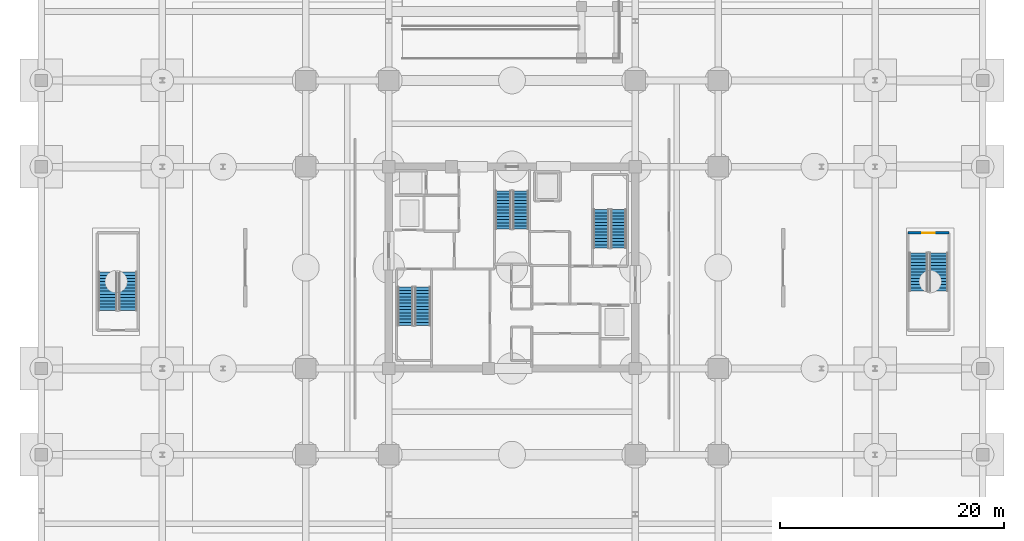
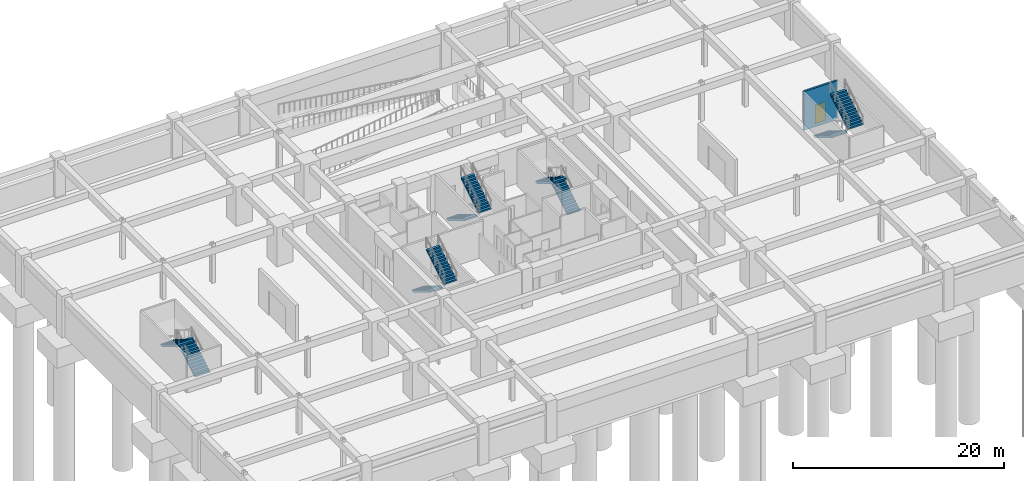
# One storey, part 12 of 17: 10 stair flights, 1 door, 1 wall, 1 opening, 5 elements without a shape of their own.
"""IFC4 building model written with IfcOpenShell, lengths in metres."""

from ifc_helpers import new_model, si_unit, direction, frame, frame_2d, origin, place, context, subcontext, project, spatial, polyline, rectangle, outline, extrude, material, layer, layer_set, type_object, element, fill, aggregate, save


model = new_model("IFC4")

# Units and contexts
model_context = context("Model", 3, precision=1e-05, world=origin(), true_north=direction((0.0, 1.0)))
body_context = subcontext(model_context, "Body", "Model", "MODEL_VIEW")
ifc_project = project(units=[si_unit("LENGTHUNIT", "METRE"), si_unit("AREAUNIT", "SQUARE_METRE"), si_unit("VOLUMEUNIT", "CUBIC_METRE"), si_unit("PLANEANGLEUNIT", "RADIAN"), si_unit("MASSUNIT", "GRAM", prefix="KILO")], contexts=[model_context])

# Site, building, storey
site_placement = place(None, origin())
site = spatial("IfcSite", under=ifc_project, at=site_placement, CompositionType="ELEMENT")
building_placement = place(site_placement, origin())
building = spatial("IfcBuilding", under=site, at=building_placement, Name="Kovane Verandah Tower", CompositionType="ELEMENT")
storey_placement = place(building_placement, frame((0.0, 0.0, -9.0)))
storey = spatial("IfcBuildingStorey", under=building, at=storey_placement, Name="B2", CompositionType="ELEMENT", Elevation=-9.0)

# Wall, opening, door
ifc_material_1 = material(Name="Concrete C45/55", Category="concrete")
ifc_layer = layer(ifc_material_1, 0.199951171875)
ifc_layer_set = layer_set([ifc_layer], Name="Concrete C45/55")
wall_type = type_object("IfcWallType", Name="WL-SHAFT-200", PredefinedType="SOLIDWALL", material=ifc_layer_set)
wall_placement = place(storey_placement, frame((75.340087890625, 30.60009765625, -0.300048828125), z_axis=(0.0, 0.0, 1.0), x_axis=(1.0, 0.0, 0.0)))
wall = element("IfcWall", 1, at=wall_placement, inside=storey, type_object=wall_type, Name="W-B2-ST-05-N", PredefinedType="SOLIDWALL", context=body_context, shape_type="SweptSolid", body=[
    extrude(rectangle(XDim=3.659912109375, YDim=0.199951171875, at=frame_2d((1.830078125, 0.0))), origin(), (0.0, 0.0, 1.0), 4.5),
])
opening_placement = place(wall_placement, frame((1.280029296875, 0.0, 0.300048828125)))
opening = element("IfcOpeningElement", 2, at=opening_placement, cuts=wall, Name="Opening DR-B2-011", PredefinedType="OPENING", context=body_context, shape_type="SweptSolid", body=[
    extrude(rectangle(XDim=1.10009765625, YDim=2.14990234375, at=frame_2d((0.550048828125, 1.074951171875))), frame((0.0, 0.10009765625, 0.0), z_axis=(0.0, -1.0, 0.0), x_axis=(1.0, 0.0, 0.0)), (0.0, 0.0, 1.0), 0.199951171875),
])
ifc_material_2 = material(Name="Fire-Rated Steel Exit Door", Category="steel")
door_type = type_object("IfcDoorType", Name="DR-STAIR-1100", OperationType="SINGLE_SWING_LEFT", PredefinedType="DOOR", material=ifc_material_2)
door_placement = place(opening_placement, origin())
door = element("IfcDoor", 3, at=door_placement, inside=storey, type_object=door_type, Name="B2 ST-05 Fire Exit Stair Door", OperationType="SINGLE_SWING_RIGHT", OverallHeight=2.14990234375, OverallWidth=1.10009765625, PredefinedType="DOOR", context=body_context, shape_type="SweptSolid", body=[
    extrude(rectangle(XDim=1.10009765625, YDim=2.14990234375, at=frame_2d((0.550048828125, 1.074951171875))), frame((0.0, 0.02490234375, 0.0), z_axis=(0.0, -1.0, 0.0), x_axis=(1.0, 0.0, 0.0)), (0.0, 0.0, 1.0), 0.050048828125),
])
fill(opening, door)

# Stair, stair flights
stair_type = type_object("IfcStairType", Name="ST-CORE-1380", PredefinedType="HALF_TURN_STAIR", material=ifc_material_1)
stair_1_placement = place(storey_placement, origin())
stair_1 = element("IfcStair", 4, at=stair_1_placement, inside=storey, type_object=stair_type, Name="B2 Exit Stair ST-01", PredefinedType="HALF_TURN_STAIR")
stair_flight_type = type_object("IfcStairFlightType", Name="STF-CORE-1380", PredefinedType="STRAIGHT", material=ifc_material_1)
stair_flight_1_placement = place(storey_placement, frame((30.489990234375, 25.75, 0.0), z_axis=(0.0, 0.0, 1.0), x_axis=(0.0, -1.0, 0.0)))
stair_flight_1 = element("IfcStairFlight", 5, at=stair_flight_1_placement, type_object=stair_flight_type, Name="ST-01 flight 1", NumberOfRisers=13, NumberOfTreads=12, PredefinedType="STRAIGHT", RiserHeight=0.173076923, TreadLength=0.285, context=body_context, shape_type="SweptSolid", body=[
    extrude(outline(polyline([(0.0, 0.0), (0.0, 0.173095703125), (0.284912109375, 0.173095703125), (0.284912109375, 0.34619140625), (0.570068359375, 0.34619140625), (0.570068359375, 0.519287109375), (0.85498046875, 0.519287109375), (0.85498046875, 0.6923828125), (1.139892578125, 0.6923828125), (1.139892578125, 0.865478515625), (1.425048828125, 0.865478515625), (1.425048828125, 1.03857421875), (1.7099609375, 1.03857421875), (1.7099609375, 1.21142578125), (1.9951171875, 1.21142578125), (1.9951171875, 1.384521484375), (2.280029296875, 1.384521484375), (2.280029296875, 1.5576171875), (2.56494140625, 1.5576171875), (2.56494140625, 1.730712890625), (2.85009765625, 1.730712890625), (2.85009765625, 1.90380859375), (3.135009765625, 1.90380859375), (3.135009765625, 2.076904296875), (3.419921875, 2.076904296875), (3.419921875, 2.25), (3.419921875, 1.901611328125), (0.288818359375, 0.0), (0.0, 0.0)])), frame((0.0, 0.68994140625, 0.0), z_axis=(0.0, -1.0, 0.0), x_axis=(1.0, 0.0, 0.0)), (0.0, 0.0, 1.0), 1.3798828125),
])
stair_flight_2_placement = place(storey_placement, frame((32.030029296875, 22.330078125, 2.25), z_axis=(0.0, 0.0, 1.0), x_axis=(0.0, 1.0, 0.0)))
stair_flight_2 = element("IfcStairFlight", 6, at=stair_flight_2_placement, type_object=stair_flight_type, Name="ST-01 flight 2", NumberOfRisers=13, NumberOfTreads=12, PredefinedType="STRAIGHT", RiserHeight=0.173076923, TreadLength=0.285, context=body_context, shape_type="SweptSolid", body=[
    extrude(outline(polyline([(0.0, 0.0), (0.0, 0.173095703125), (0.284912109375, 0.173095703125), (0.284912109375, 0.34619140625), (0.570068359375, 0.34619140625), (0.570068359375, 0.519287109375), (0.85498046875, 0.519287109375), (0.85498046875, 0.6923828125), (1.139892578125, 0.6923828125), (1.139892578125, 0.865478515625), (1.425048828125, 0.865478515625), (1.425048828125, 1.03857421875), (1.7099609375, 1.03857421875), (1.7099609375, 1.21142578125), (1.9951171875, 1.21142578125), (1.9951171875, 1.384521484375), (2.280029296875, 1.384521484375), (2.280029296875, 1.5576171875), (2.56494140625, 1.5576171875), (2.56494140625, 1.730712890625), (2.85009765625, 1.730712890625), (2.85009765625, 1.90380859375), (3.135009765625, 1.90380859375), (3.135009765625, 2.076904296875), (3.419921875, 2.076904296875), (3.419921875, 2.25), (3.419921875, 1.901611328125), (0.288818359375, 0.0), (0.0, 0.0)])), frame((0.0, 0.68994140625, 0.0), z_axis=(0.0, -1.0, 0.0), x_axis=(1.0, 0.0, 0.0)), (0.0, 0.0, 1.0), 1.3798828125),
])
aggregate(stair_1, [stair_flight_1, stair_flight_2])

stair_2_placement = place(storey_placement, origin())
stair_2 = element("IfcStair", 7, at=stair_2_placement, inside=storey, type_object=stair_type, Name="B2 Exit Stair ST-02", PredefinedType="HALF_TURN_STAIR")
stair_flight_3_placement = place(storey_placement, frame((49.510009765625, 29.25, 0.0), z_axis=(0.0, 0.0, 1.0), x_axis=(0.0, 1.0, 0.0)))
stair_flight_3 = element("IfcStairFlight", 8, at=stair_flight_3_placement, type_object=stair_flight_type, Name="ST-02 flight 1", NumberOfRisers=13, NumberOfTreads=12, PredefinedType="STRAIGHT", RiserHeight=0.173076923, TreadLength=0.285, context=body_context, shape_type="SweptSolid", body=[
    extrude(outline(polyline([(0.0, 0.0), (0.0, 0.173095703125), (0.284912109375, 0.173095703125), (0.284912109375, 0.34619140625), (0.570068359375, 0.34619140625), (0.570068359375, 0.519287109375), (0.85498046875, 0.519287109375), (0.85498046875, 0.6923828125), (1.139892578125, 0.6923828125), (1.139892578125, 0.865478515625), (1.425048828125, 0.865478515625), (1.425048828125, 1.03857421875), (1.7099609375, 1.03857421875), (1.7099609375, 1.21142578125), (1.9951171875, 1.21142578125), (1.9951171875, 1.384521484375), (2.280029296875, 1.384521484375), (2.280029296875, 1.5576171875), (2.56494140625, 1.5576171875), (2.56494140625, 1.730712890625), (2.85009765625, 1.730712890625), (2.85009765625, 1.90380859375), (3.135009765625, 1.90380859375), (3.135009765625, 2.076904296875), (3.419921875, 2.076904296875), (3.419921875, 2.25), (3.419921875, 1.901611328125), (0.288818359375, 0.0), (0.0, 0.0)])), frame((0.0, 0.68994140625, 0.0), z_axis=(0.0, -1.0, 0.0), x_axis=(1.0, 0.0, 0.0)), (0.0, 0.0, 1.0), 1.3798828125),
])
stair_flight_4_placement = place(storey_placement, frame((47.969970703125, 32.669921875, 2.25), z_axis=(0.0, 0.0, 1.0), x_axis=(0.0, -1.0, 0.0)))
stair_flight_4 = element("IfcStairFlight", 9, at=stair_flight_4_placement, type_object=stair_flight_type, Name="ST-02 flight 2", NumberOfRisers=13, NumberOfTreads=12, PredefinedType="STRAIGHT", RiserHeight=0.173076923, TreadLength=0.285, context=body_context, shape_type="SweptSolid", body=[
    extrude(outline(polyline([(0.0, 0.0), (0.0, 0.173095703125), (0.284912109375, 0.173095703125), (0.284912109375, 0.34619140625), (0.570068359375, 0.34619140625), (0.570068359375, 0.519287109375), (0.85498046875, 0.519287109375), (0.85498046875, 0.6923828125), (1.139892578125, 0.6923828125), (1.139892578125, 0.865478515625), (1.425048828125, 0.865478515625), (1.425048828125, 1.03857421875), (1.7099609375, 1.03857421875), (1.7099609375, 1.21142578125), (1.9951171875, 1.21142578125), (1.9951171875, 1.384521484375), (2.280029296875, 1.384521484375), (2.280029296875, 1.5576171875), (2.56494140625, 1.5576171875), (2.56494140625, 1.730712890625), (2.85009765625, 1.730712890625), (2.85009765625, 1.90380859375), (3.135009765625, 1.90380859375), (3.135009765625, 2.076904296875), (3.419921875, 2.076904296875), (3.419921875, 2.25), (3.419921875, 1.901611328125), (0.288818359375, 0.0), (0.0, 0.0)])), frame((0.0, 0.68994140625, 0.0), z_axis=(0.0, -1.0, 0.0), x_axis=(1.0, 0.0, 0.0)), (0.0, 0.0, 1.0), 1.3798828125),
])
aggregate(stair_2, [stair_flight_3, stair_flight_4])

stair_3_placement = place(storey_placement, origin())
stair_3 = element("IfcStair", 10, at=stair_3_placement, inside=storey, type_object=stair_type, Name="B2 Exit Stair ST-03", PredefinedType="HALF_TURN_STAIR")
stair_flight_5_placement = place(storey_placement, frame((39.22998046875, 34.35009765625, 0.0), z_axis=(0.0, 0.0, 1.0), x_axis=(0.0, -1.0, 0.0)))
stair_flight_5 = element("IfcStairFlight", 11, at=stair_flight_5_placement, type_object=stair_flight_type, Name="ST-03 flight 1", NumberOfRisers=13, NumberOfTreads=12, PredefinedType="STRAIGHT", RiserHeight=0.173076923, TreadLength=0.285, context=body_context, shape_type="SweptSolid", body=[
    extrude(outline(polyline([(0.0, 0.0), (0.0, 0.173095703125), (0.284912109375, 0.173095703125), (0.284912109375, 0.34619140625), (0.570068359375, 0.34619140625), (0.570068359375, 0.519287109375), (0.85498046875, 0.519287109375), (0.85498046875, 0.6923828125), (1.139892578125, 0.6923828125), (1.139892578125, 0.865478515625), (1.425048828125, 0.865478515625), (1.425048828125, 1.03857421875), (1.7099609375, 1.03857421875), (1.7099609375, 1.21142578125), (1.9951171875, 1.21142578125), (1.9951171875, 1.384521484375), (2.280029296875, 1.384521484375), (2.280029296875, 1.5576171875), (2.56494140625, 1.5576171875), (2.56494140625, 1.730712890625), (2.85009765625, 1.730712890625), (2.85009765625, 1.90380859375), (3.135009765625, 1.90380859375), (3.135009765625, 2.076904296875), (3.419921875, 2.076904296875), (3.419921875, 2.25), (3.419921875, 1.901611328125), (0.288818359375, 0.0), (0.0, 0.0)])), frame((0.0, 0.68994140625, 0.0), z_axis=(0.0, -1.0, 0.0), x_axis=(1.0, 0.0, 0.0)), (0.0, 0.0, 1.0), 1.3798828125),
])
stair_flight_6_placement = place(storey_placement, frame((40.77001953125, 30.929931640625, 2.25), z_axis=(0.0, 0.0, 1.0), x_axis=(0.0, 1.0, 0.0)))
stair_flight_6 = element("IfcStairFlight", 12, at=stair_flight_6_placement, type_object=stair_flight_type, Name="ST-03 flight 2", NumberOfRisers=13, NumberOfTreads=12, PredefinedType="STRAIGHT", RiserHeight=0.173076923, TreadLength=0.285, context=body_context, shape_type="SweptSolid", body=[
    extrude(outline(polyline([(0.0, 0.0), (0.0, 0.173095703125), (0.284912109375, 0.173095703125), (0.284912109375, 0.34619140625), (0.570068359375, 0.34619140625), (0.570068359375, 0.519287109375), (0.85498046875, 0.519287109375), (0.85498046875, 0.6923828125), (1.139892578125, 0.6923828125), (1.139892578125, 0.865478515625), (1.425048828125, 0.865478515625), (1.425048828125, 1.03857421875), (1.7099609375, 1.03857421875), (1.7099609375, 1.21142578125), (1.9951171875, 1.21142578125), (1.9951171875, 1.384521484375), (2.280029296875, 1.384521484375), (2.280029296875, 1.5576171875), (2.56494140625, 1.5576171875), (2.56494140625, 1.730712890625), (2.85009765625, 1.730712890625), (2.85009765625, 1.90380859375), (3.135009765625, 1.90380859375), (3.135009765625, 2.076904296875), (3.419921875, 2.076904296875), (3.419921875, 2.25), (3.419921875, 1.901611328125), (0.288818359375, 0.0), (0.0, 0.0)])), frame((0.0, 0.68994140625, 0.0), z_axis=(0.0, -1.0, 0.0), x_axis=(1.0, 0.0, 0.0)), (0.0, 0.0, 1.0), 1.3798828125),
])
aggregate(stair_3, [stair_flight_5, stair_flight_6])

stair_4_placement = place(storey_placement, origin())
stair_4 = element("IfcStair", 13, at=stair_4_placement, inside=storey, type_object=stair_type, Name="B2 Exit Stair ST-04", PredefinedType="HALF_TURN_STAIR")
stair_flight_7_placement = place(storey_placement, frame((5.735107421875, 23.679931640625, 0.0), z_axis=(0.0, 0.0, 1.0), x_axis=(0.0, 1.0, 0.0)))
stair_flight_7 = element("IfcStairFlight", 14, at=stair_flight_7_placement, type_object=stair_flight_type, Name="ST-04 flight 1", NumberOfRisers=13, NumberOfTreads=12, PredefinedType="STRAIGHT", RiserHeight=0.173076923, TreadLength=0.285, context=body_context, shape_type="SweptSolid", body=[
    extrude(outline(polyline([(0.0, 0.0), (0.0, 0.173095703125), (0.284912109375, 0.173095703125), (0.284912109375, 0.34619140625), (0.570068359375, 0.34619140625), (0.570068359375, 0.519287109375), (0.85498046875, 0.519287109375), (0.85498046875, 0.6923828125), (1.139892578125, 0.6923828125), (1.139892578125, 0.865478515625), (1.425048828125, 0.865478515625), (1.425048828125, 1.03857421875), (1.7099609375, 1.03857421875), (1.7099609375, 1.21142578125), (1.9951171875, 1.21142578125), (1.9951171875, 1.384521484375), (2.280029296875, 1.384521484375), (2.280029296875, 1.5576171875), (2.56494140625, 1.5576171875), (2.56494140625, 1.730712890625), (2.85009765625, 1.730712890625), (2.85009765625, 1.90380859375), (3.135009765625, 1.90380859375), (3.135009765625, 2.076904296875), (3.419921875, 2.076904296875), (3.419921875, 2.25), (3.419921875, 1.901611328125), (0.288818359375, 0.0), (0.0, 0.0)])), frame((0.0, 0.824951171875, 0.0), z_axis=(0.0, -1.0, 0.0), x_axis=(1.0, 0.0, 0.0)), (0.0, 0.0, 1.0), 1.64990234375),
])
stair_flight_8_placement = place(storey_placement, frame((3.925048828125, 27.10009765625, 2.25), z_axis=(0.0, 0.0, 1.0), x_axis=(0.0, -1.0, 0.0)))
stair_flight_8 = element("IfcStairFlight", 15, at=stair_flight_8_placement, type_object=stair_flight_type, Name="ST-04 flight 2", NumberOfRisers=13, NumberOfTreads=12, PredefinedType="STRAIGHT", RiserHeight=0.173076923, TreadLength=0.285, context=body_context, shape_type="SweptSolid", body=[
    extrude(outline(polyline([(0.0, 0.0), (0.0, 0.173095703125), (0.284912109375, 0.173095703125), (0.284912109375, 0.34619140625), (0.570068359375, 0.34619140625), (0.570068359375, 0.519287109375), (0.85498046875, 0.519287109375), (0.85498046875, 0.6923828125), (1.139892578125, 0.6923828125), (1.139892578125, 0.865478515625), (1.425048828125, 0.865478515625), (1.425048828125, 1.03857421875), (1.7099609375, 1.03857421875), (1.7099609375, 1.21142578125), (1.9951171875, 1.21142578125), (1.9951171875, 1.384521484375), (2.280029296875, 1.384521484375), (2.280029296875, 1.5576171875), (2.56494140625, 1.5576171875), (2.56494140625, 1.730712890625), (2.85009765625, 1.730712890625), (2.85009765625, 1.90380859375), (3.135009765625, 1.90380859375), (3.135009765625, 2.076904296875), (3.419921875, 2.076904296875), (3.419921875, 2.25), (3.419921875, 1.901611328125), (0.288818359375, 0.0), (0.0, 0.0)])), frame((0.0, 0.824951171875, 0.0), z_axis=(0.0, -1.0, 0.0), x_axis=(1.0, 0.0, 0.0)), (0.0, 0.0, 1.0), 1.64990234375),
])
aggregate(stair_4, [stair_flight_7, stair_flight_8])

stair_5_placement = place(storey_placement, origin())
stair_5 = element("IfcStair", 16, at=stair_5_placement, inside=storey, type_object=stair_type, Name="B2 Exit Stair ST-05", PredefinedType="HALF_TURN_STAIR")
stair_flight_9_placement = place(storey_placement, frame((76.264892578125, 28.820068359375, 0.0), z_axis=(0.0, 0.0, 1.0), x_axis=(0.0, -1.0, 0.0)))
stair_flight_9 = element("IfcStairFlight", 17, at=stair_flight_9_placement, type_object=stair_flight_type, Name="ST-05 flight 1", NumberOfRisers=13, NumberOfTreads=12, PredefinedType="STRAIGHT", RiserHeight=0.173076923, TreadLength=0.285, context=body_context, shape_type="SweptSolid", body=[
    extrude(outline(polyline([(0.0, 0.0), (0.0, 0.173095703125), (0.284912109375, 0.173095703125), (0.284912109375, 0.34619140625), (0.570068359375, 0.34619140625), (0.570068359375, 0.519287109375), (0.85498046875, 0.519287109375), (0.85498046875, 0.6923828125), (1.139892578125, 0.6923828125), (1.139892578125, 0.865478515625), (1.425048828125, 0.865478515625), (1.425048828125, 1.03857421875), (1.7099609375, 1.03857421875), (1.7099609375, 1.21142578125), (1.9951171875, 1.21142578125), (1.9951171875, 1.384521484375), (2.280029296875, 1.384521484375), (2.280029296875, 1.5576171875), (2.56494140625, 1.5576171875), (2.56494140625, 1.730712890625), (2.85009765625, 1.730712890625), (2.85009765625, 1.90380859375), (3.135009765625, 1.90380859375), (3.135009765625, 2.076904296875), (3.419921875, 2.076904296875), (3.419921875, 2.25), (3.419921875, 1.901611328125), (0.288818359375, 0.0), (0.0, 0.0)])), frame((0.0, 0.824951171875, 0.0), z_axis=(0.0, -1.0, 0.0), x_axis=(1.0, 0.0, 0.0)), (0.0, 0.0, 1.0), 1.64990234375),
])
stair_flight_10_placement = place(storey_placement, frame((78.074951171875, 25.39990234375, 2.25), z_axis=(0.0, 0.0, 1.0), x_axis=(0.0, 1.0, 0.0)))
stair_flight_10 = element("IfcStairFlight", 18, at=stair_flight_10_placement, type_object=stair_flight_type, Name="ST-05 flight 2", NumberOfRisers=13, NumberOfTreads=12, PredefinedType="STRAIGHT", RiserHeight=0.173076923, TreadLength=0.285, context=body_context, shape_type="SweptSolid", body=[
    extrude(outline(polyline([(0.0, 0.0), (0.0, 0.173095703125), (0.284912109375, 0.173095703125), (0.284912109375, 0.34619140625), (0.570068359375, 0.34619140625), (0.570068359375, 0.519287109375), (0.85498046875, 0.519287109375), (0.85498046875, 0.6923828125), (1.139892578125, 0.6923828125), (1.139892578125, 0.865478515625), (1.425048828125, 0.865478515625), (1.425048828125, 1.03857421875), (1.7099609375, 1.03857421875), (1.7099609375, 1.21142578125), (1.9951171875, 1.21142578125), (1.9951171875, 1.384521484375), (2.280029296875, 1.384521484375), (2.280029296875, 1.5576171875), (2.56494140625, 1.5576171875), (2.56494140625, 1.730712890625), (2.85009765625, 1.730712890625), (2.85009765625, 1.90380859375), (3.135009765625, 1.90380859375), (3.135009765625, 2.076904296875), (3.419921875, 2.076904296875), (3.419921875, 2.25), (3.419921875, 1.901611328125), (0.288818359375, 0.0), (0.0, 0.0)])), frame((0.0, 0.824951171875, 0.0), z_axis=(0.0, -1.0, 0.0), x_axis=(1.0, 0.0, 0.0)), (0.0, 0.0, 1.0), 1.64990234375),
])
aggregate(stair_5, [stair_flight_9, stair_flight_10])

save(model, "model.ifc")
